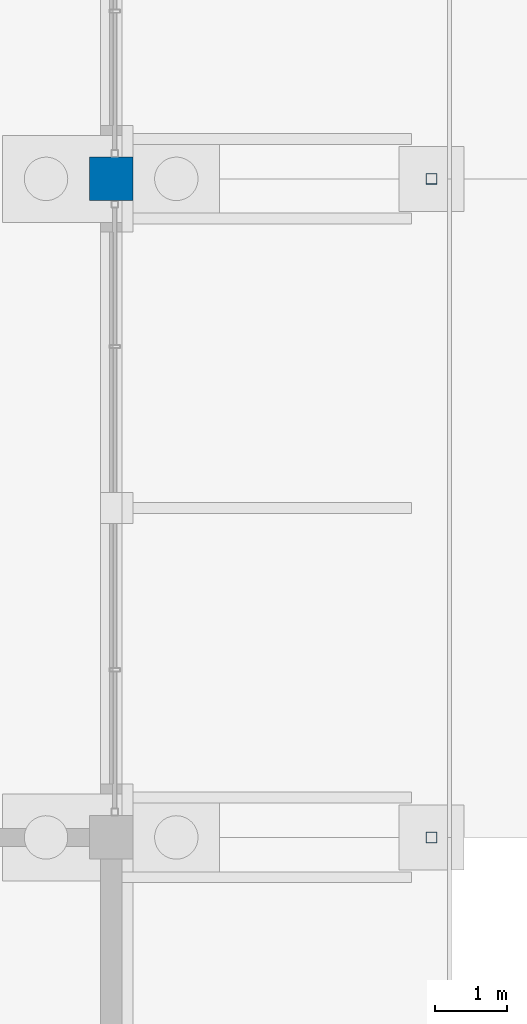
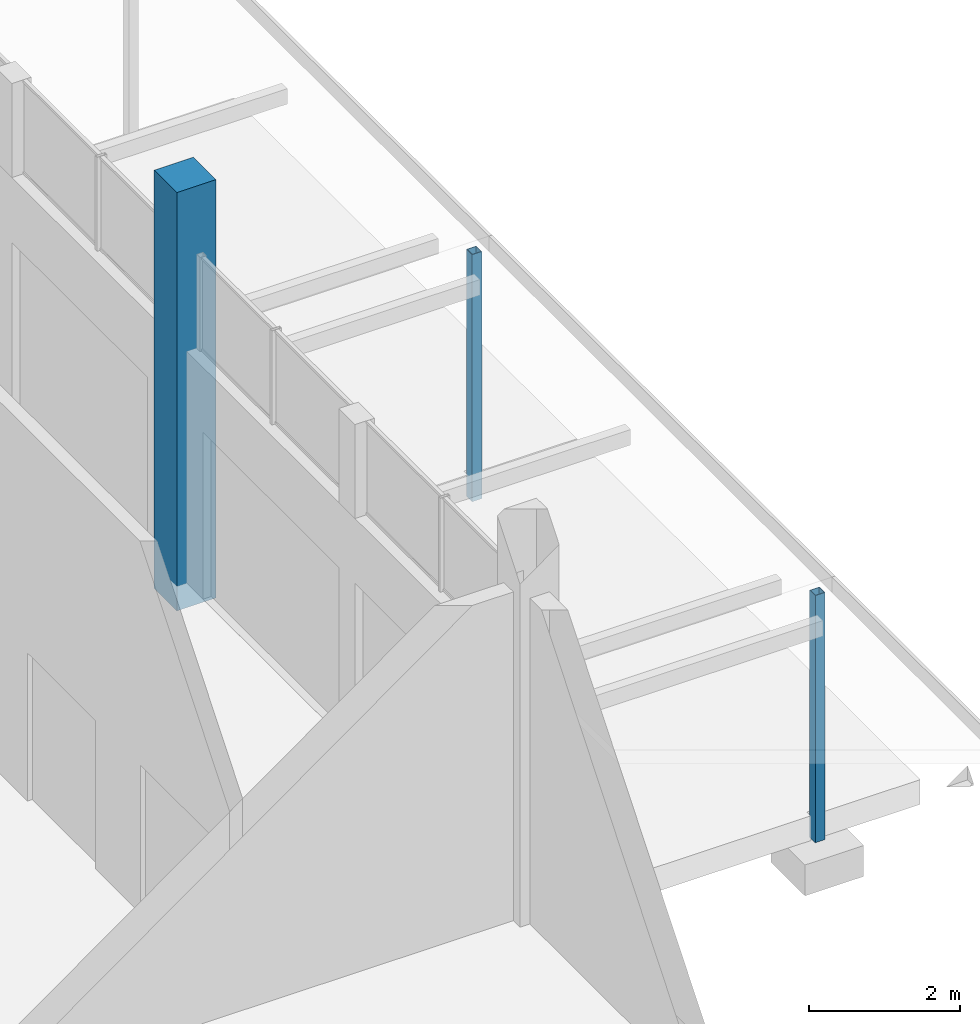
# One storey, part 41 of 129: 3 columns.
"""IFC4 building model written with IfcOpenShell, lengths in metres."""

from ifc_helpers import new_model, si_unit, direction, frame, origin, origin_2d, place, context, subcontext, project, spatial, rectangle, hollow_rectangle, extrude, material, material_profile, profile_set, type_object, element, save


model = new_model("IFC4")

# Units and contexts
model_context = context("Model", 3, precision=1e-05, world=origin(), true_north=direction((0.0, 1.0)))
body_context = subcontext(model_context, "Body", "Model", "MODEL_VIEW")
ifc_project = project(units=[si_unit("LENGTHUNIT", "METRE"), si_unit("AREAUNIT", "SQUARE_METRE"), si_unit("VOLUMEUNIT", "CUBIC_METRE"), si_unit("PLANEANGLEUNIT", "RADIAN"), si_unit("MASSUNIT", "GRAM", prefix="KILO")], contexts=[model_context])

# Site, building, storey
site_placement = place(None, origin())
site = spatial("IfcSite", under=ifc_project, at=site_placement, CompositionType="ELEMENT")
building_placement = place(site_placement, origin())
building = spatial("IfcBuilding", under=site, at=building_placement, Name="Shirokan Park Arena", CompositionType="ELEMENT")
storey_placement = place(building_placement, origin())
storey = spatial("IfcBuildingStorey", under=building, at=storey_placement, Name="L00", CompositionType="ELEMENT", Elevation=0.0)

# Columns
ifc_material_1 = material(Name="Concrete C35", Category="concrete")
ifc_material_profile_1 = material_profile(ifc_material_1, rectangle(XDim=0.60009765625, YDim=0.60009765625, at=origin_2d()), Name="600x600")
ifc_profile_set_1 = profile_set([ifc_material_profile_1], Name="Concrete C35")
column_type_1 = type_object("IfcColumnType", Name="RC column 600x600", PredefinedType="COLUMN", material=ifc_profile_set_1)
column_placement = place(storey_placement, frame((145.60009765625, 54.60009765625, -0.39990234375), z_axis=(0.0, 0.0, 1.0), x_axis=(1.0, 0.0, 0.0)))
element("IfcColumn", 1, at=column_placement, inside=storey, type_object=column_type_1, Name="Column 17G L00", PredefinedType="COLUMN", context=body_context, shape_type="SweptSolid", body=[
    extrude(rectangle(XDim=0.60009765625, YDim=0.60009765625, at=origin_2d()), origin(), (0.0, 0.0, 1.0), 6.77001953125),
])
ifc_material_2 = material(Name="Steel S355", Category="steel")
ifc_material_profile_2 = material_profile(ifc_material_2, hollow_rectangle(XDim=0.14990234375, YDim=0.14990234375, WallThickness=0.008056640625, at=origin_2d()), Name="RHS 150x150x8")
ifc_profile_set_2 = profile_set([ifc_material_profile_2], Name="Steel S355")
column_type_2 = type_object("IfcColumnType", Name="Steel post RHS 150x150x8", PredefinedType="COLUMN", material=ifc_profile_set_2)
for number, where, z_axis, x_axis, name in (
    (2, (150.02490234375, 45.5, -0.39990234375), (0.0, 0.0, 1.0), (1.0, 0.0, 0.0), "Canopy post east grid 6"),
    (3, (150.02490234375, 54.60009765625, -0.39990234375), (0.0, 0.0, 1.0), (1.0, 0.0, 0.0), "Canopy post east grid 7"),
):
    element("IfcColumn", number, at=place(storey_placement, frame(where, z_axis=z_axis, x_axis=x_axis)), inside=storey, type_object=column_type_2, Name=name, PredefinedType="COLUMN", context=body_context, shape_type="SweptSolid", body=[
        extrude(hollow_rectangle(XDim=0.14990234375, YDim=0.14990234375, WallThickness=0.008056640625, at=origin_2d()), origin(), (0.0, 0.0, 1.0), 4.0),
    ])

save(model, "model.ifc")
